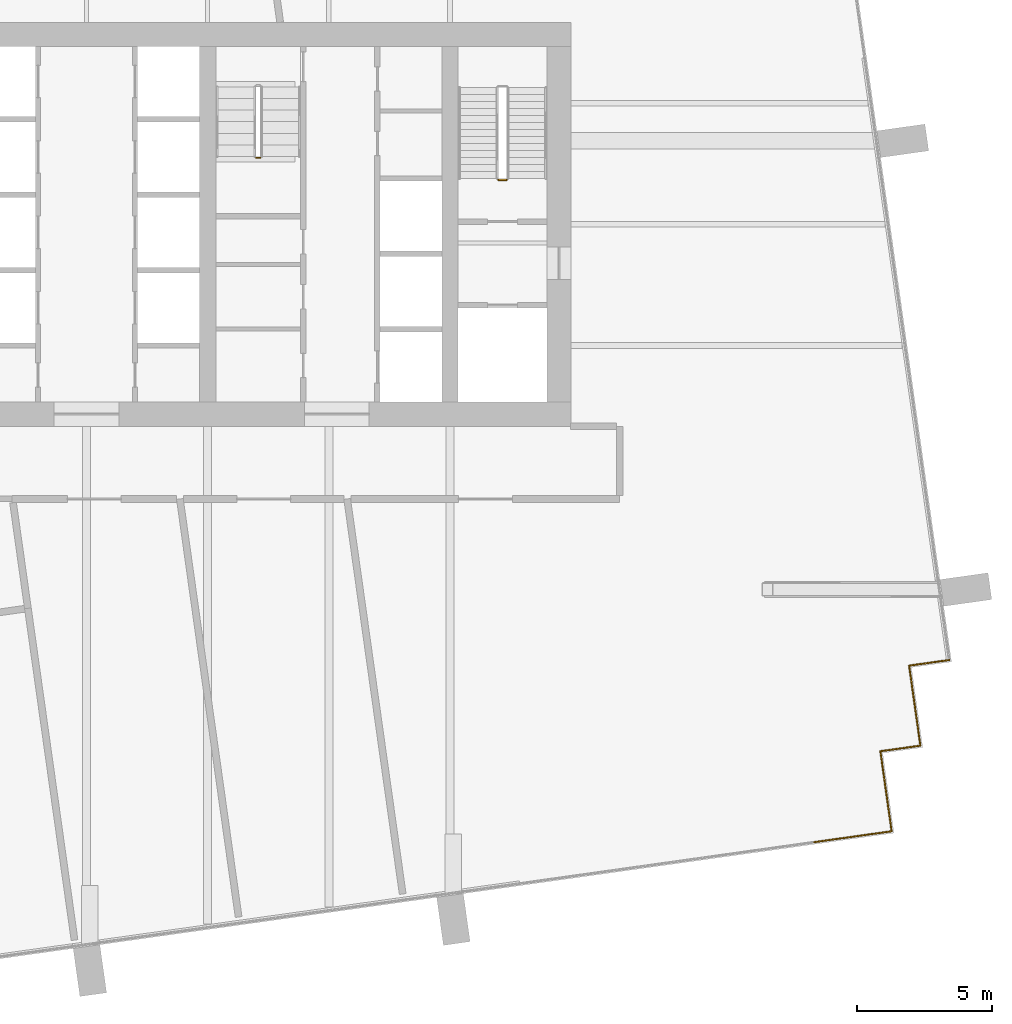
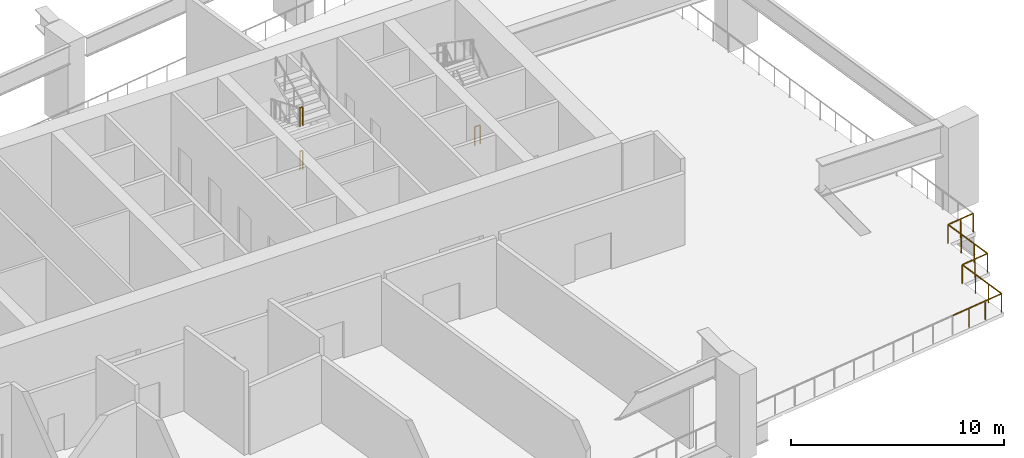
# One storey, part 7 of 10: 8 railings.
"""IFC4 building model written with IfcOpenShell, lengths in metres."""

from ifc_helpers import new_model, si_unit, direction, frame, origin, origin_2d, place, context, subcontext, project, spatial, rectangle, extrude, material, type_object, element, save


model = new_model("IFC4")

# Units and contexts
model_context = context("Model", 3, precision=1e-05, world=origin(), true_north=direction((0.0, 1.0)))
body_context = subcontext(model_context, "Body", "Model", "MODEL_VIEW")
ifc_project = project(units=[si_unit("LENGTHUNIT", "METRE"), si_unit("AREAUNIT", "SQUARE_METRE"), si_unit("VOLUMEUNIT", "CUBIC_METRE"), si_unit("PLANEANGLEUNIT", "RADIAN"), si_unit("MASSUNIT", "GRAM", prefix="KILO")], contexts=[model_context])

# Site, building, storey
site_placement = place(None, origin())
site = spatial("IfcSite", under=ifc_project, at=site_placement, CompositionType="ELEMENT")
building_placement = place(site_placement, origin())
building = spatial("IfcBuilding", under=site, at=building_placement, Name="Rattan Terrace Tower", CompositionType="ELEMENT")
storey_placement = place(building_placement, frame((0.0, 0.0, 244.699951171875)))
storey = spatial("IfcBuildingStorey", under=building, at=storey_placement, Name="L56", CompositionType="ELEMENT", Elevation=244.699951171875)

# Railings
ifc_material_1 = material(Name="Powder-coated steel guard", Category="steel")
railing_type_1 = type_object("IfcRailingType", Name="Core stair guard", PredefinedType="GUARDRAIL", material=ifc_material_1)
railing_1_placement = place(storey_placement, frame((15.60009765625, 1.64990234375, 0.0)))
element("IfcRailing", 1, at=railing_1_placement, inside=storey, type_object=railing_type_1, Name="L56 S2 stair guard 4", PredefinedType="GUARDRAIL", context=body_context, shape_type="SweptSolid", body=[
    extrude(rectangle(XDim=0.048095703125, YDim=0.048095703125, at=origin_2d()), frame((0.0, 0.0, 1.076171875), z_axis=(-1.0, 0.0, 0.0), x_axis=(0.0, -1.0, 0.0)), (0.0, 0.0, 1.0), 0.300048828125),
    extrude(rectangle(XDim=0.0419921875, YDim=0.0419921875, at=origin_2d()), origin(), (0.0, 0.0, 1.0), 1.052001953125),
    extrude(rectangle(XDim=0.0419921875, YDim=0.0419921875, at=origin_2d()), frame((-0.300048828125, 0.0, 0.0)), (0.0, 0.0, 1.0), 1.052001953125),
])
for number, where, name in (
    (2, (6.300048828125, 2.469970703125, 1.25), "L56 S3 stair guard 2"),
    (3, (6.300048828125, 2.469970703125, 3.75), "L56 S3 stair guard 6"),
):
    element("IfcRailing", number, at=place(storey_placement, frame(where)), inside=storey, type_object=railing_type_1, Name=name, PredefinedType="GUARDRAIL", context=body_context, shape_type="SweptSolid", body=[
        extrude(rectangle(XDim=0.048095703125, YDim=0.048095703125, at=origin_2d()), frame((0.0, 0.0, 1.076171875), z_axis=(1.0, 0.0, 0.0), x_axis=(0.0, 1.0, 0.0)), (0.0, 0.0, 1.0), 0.14990234375),
        extrude(rectangle(XDim=0.0419921875, YDim=0.0419921875, at=origin_2d()), origin(), (0.0, 0.0, 1.0), 1.052001953125),
        extrude(rectangle(XDim=0.0419921875, YDim=0.0419921875, at=origin_2d()), frame((0.14990234375, 0.0, 0.0)), (0.0, 0.0, 1.0), 1.052001953125),
    ])
ifc_material_2 = material(Name="Stainless steel 316", Category="steel")
railing_type_2 = type_object("IfcRailingType", Name="Facade Guard 1100", PredefinedType="GUARDRAIL", material=ifc_material_2)
railing_2_placement = place(storey_placement, frame((32.035888671875, -16.181884765625, 0.0)))
element("IfcRailing", 4, at=railing_2_placement, inside=storey, type_object=railing_type_2, Name="Guard L56-17", PredefinedType="GUARDRAIL", context=body_context, shape_type="SweptSolid", body=[
    extrude(rectangle(XDim=0.048095703125, YDim=0.048095703125, at=origin_2d()), frame((0.0, 0.0, 1.076171875), z_axis=(-0.990230619015, -0.139439309973, 0.0), x_axis=(0.139439309973, -0.990230619015, 0.0)), (0.0, 0.0, 1.0), 1.50048828125),
    extrude(rectangle(XDim=0.0419921875, YDim=0.0419921875, at=origin_2d()), origin(), (0.0, 0.0, 1.0), 1.052001953125),
    extrude(rectangle(XDim=0.0419921875, YDim=0.0419921875, at=origin_2d()), frame((-0.742919921875, -0.1044921875, 0.0)), (0.0, 0.0, 1.0), 1.052001953125),
])
railing_3_placement = place(storey_placement, frame((30.550048828125, -16.39111328125, 0.0)))
element("IfcRailing", 5, at=railing_3_placement, inside=storey, type_object=railing_type_2, Name="Guard L56-18", PredefinedType="GUARDRAIL", context=body_context, shape_type="SweptSolid", body=[
    extrude(rectangle(XDim=0.048095703125, YDim=0.048095703125, at=origin_2d()), frame((0.0, 0.0, 1.076171875), z_axis=(0.139313431826, -0.990248336385, 0.0), x_axis=(0.990248336385, 0.139313431826, 0.0)), (0.0, 0.0, 1.0), 3.000244140625),
    extrude(rectangle(XDim=0.0419921875, YDim=0.0419921875, at=origin_2d()), origin(), (0.0, 0.0, 1.0), 1.052001953125),
    extrude(rectangle(XDim=0.0419921875, YDim=0.0419921875, at=origin_2d()), frame((0.139404296875, -0.990234375, 0.0)), (0.0, 0.0, 1.0), 1.052001953125),
    extrude(rectangle(XDim=0.0419921875, YDim=0.0419921875, at=origin_2d()), frame((0.278564453125, -1.980712890625, 0.0)), (0.0, 0.0, 1.0), 1.052001953125),
])
railing_4_placement = place(storey_placement, frame((30.968017578125, -19.362060546875, 0.0)))
element("IfcRailing", 6, at=railing_4_placement, inside=storey, type_object=railing_type_2, Name="Guard L56-19", PredefinedType="GUARDRAIL", context=body_context, shape_type="SweptSolid", body=[
    extrude(rectangle(XDim=0.048095703125, YDim=0.048095703125, at=origin_2d()), frame((0.0, 0.0, 1.076171875), z_axis=(-0.990333250168, -0.138708520326, 0.0), x_axis=(0.138708520326, -0.990333250168, 0.0)), (0.0, 0.0, 1.0), 1.49951171875),
    extrude(rectangle(XDim=0.0419921875, YDim=0.0419921875, at=origin_2d()), origin(), (0.0, 0.0, 1.0), 1.052001953125),
    extrude(rectangle(XDim=0.0419921875, YDim=0.0419921875, at=origin_2d()), frame((-0.74267578125, -0.10400390625, 0.0)), (0.0, 0.0, 1.0), 1.052001953125),
])
railing_5_placement = place(storey_placement, frame((29.48291015625, -19.570068359375, 0.0)))
element("IfcRailing", 7, at=railing_5_placement, inside=storey, type_object=railing_type_2, Name="Guard L56-20", PredefinedType="GUARDRAIL", context=body_context, shape_type="SweptSolid", body=[
    extrude(rectangle(XDim=0.048095703125, YDim=0.048095703125, at=origin_2d()), frame((0.0, 0.0, 1.076171875), z_axis=(0.138994228812, -0.990293191109, 0.0), x_axis=(0.990293191109, 0.138994228812, 0.0)), (0.0, 0.0, 1.0), 3.0),
    extrude(rectangle(XDim=0.0419921875, YDim=0.0419921875, at=origin_2d()), origin(), (0.0, 0.0, 1.0), 1.052001953125),
    extrude(rectangle(XDim=0.0419921875, YDim=0.0419921875, at=origin_2d()), frame((0.138916015625, -0.990234375, 0.0)), (0.0, 0.0, 1.0), 1.052001953125),
    extrude(rectangle(XDim=0.0419921875, YDim=0.0419921875, at=origin_2d()), frame((0.278076171875, -1.980712890625, 0.0)), (0.0, 0.0, 1.0), 1.052001953125),
])
railing_6_placement = place(storey_placement, frame((29.89990234375, -22.541015625, 0.0)))
element("IfcRailing", 8, at=railing_6_placement, inside=storey, type_object=railing_type_2, Name="Guard L56-21", PredefinedType="GUARDRAIL", context=body_context, shape_type="SweptSolid", body=[
    extrude(rectangle(XDim=0.048095703125, YDim=0.048095703125, at=origin_2d()), frame((0.0, 0.0, 1.076171875), z_axis=(-0.990241622406, -0.13936114686, 0.0), x_axis=(0.13936114686, -0.990241622406, 0.0)), (0.0, 0.0, 1.0), 2.92041015625),
    extrude(rectangle(XDim=0.0419921875, YDim=0.0419921875, at=origin_2d()), origin(), (0.0, 0.0, 1.0), 1.052001953125),
    extrude(rectangle(XDim=0.0419921875, YDim=0.0419921875, at=origin_2d()), frame((-0.9638671875, -0.1357421875, 0.0)), (0.0, 0.0, 1.0), 1.052001953125),
    extrude(rectangle(XDim=0.0419921875, YDim=0.0419921875, at=origin_2d()), frame((-1.927978515625, -0.271240234375, 0.0)), (0.0, 0.0, 1.0), 1.052001953125),
])

save(model, "model.ifc")
